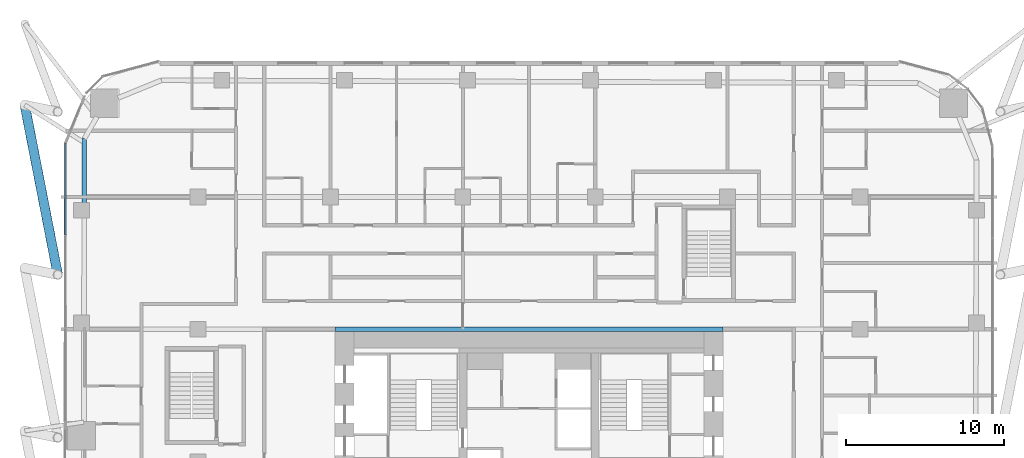
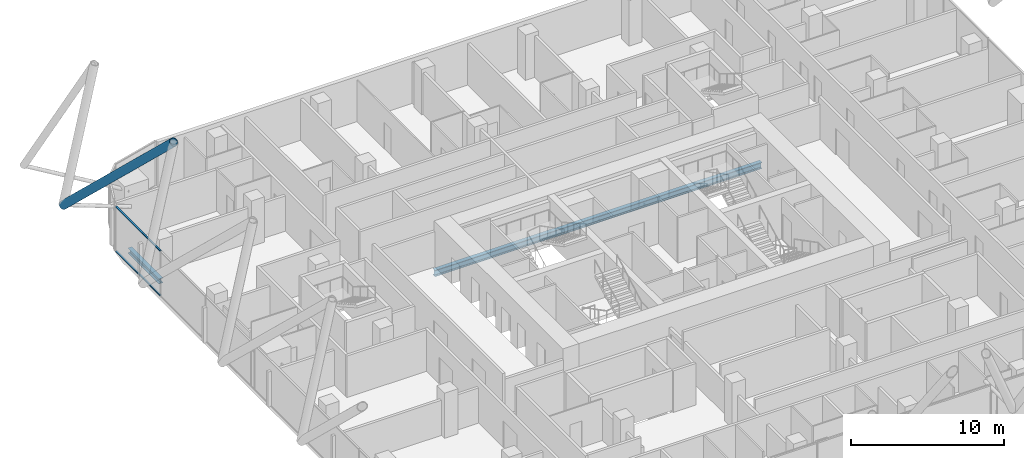
# One storey, part 10 of 36: 3 members, 2 beams, 1 element without a shape of its own.
"""IFC4 building model written with IfcOpenShell, lengths in metres."""

from ifc_helpers import new_model, si_unit, direction, frame, origin, origin_2d, place, context, subcontext, project, spatial, rectangle, hollow_circle, i_section, extrude, material, layer, layer_set, material_profile, profile_set, type_object, element, aggregate, save


model = new_model("IFC4")

# Units and contexts
model_context = context("Model", 3, precision=1e-05, world=origin(), true_north=direction((0.0, 1.0)))
body_context = subcontext(model_context, "Body", "Model", "MODEL_VIEW")
ifc_project = project(units=[si_unit("LENGTHUNIT", "METRE"), si_unit("AREAUNIT", "SQUARE_METRE"), si_unit("VOLUMEUNIT", "CUBIC_METRE"), si_unit("PLANEANGLEUNIT", "RADIAN"), si_unit("MASSUNIT", "GRAM", prefix="KILO")], contexts=[model_context])

# Site, building, storey
site_placement = place(None, origin())
site = spatial("IfcSite", under=ifc_project, at=site_placement, CompositionType="ELEMENT")
building_placement = place(site_placement, origin())
building = spatial("IfcBuilding", under=site, at=building_placement, Name="Marenta Gate Hotel Tower", CompositionType="ELEMENT")
storey_placement = place(building_placement, frame((0.0, 0.0, 83.300048828125)))
storey = spatial("IfcBuildingStorey", under=building, at=storey_placement, Name="L19", CompositionType="ELEMENT", Elevation=83.300048828125)

# Member
ifc_material_1 = material(Name="Steel S355J2W", Category="steel")
ifc_material_profile_1 = material_profile(ifc_material_1, hollow_circle(Radius=0.304931640625, WallThickness=0.0400390625, at=origin_2d()), Name="CHS 610x40")
ifc_profile_set_1 = profile_set([ifc_material_profile_1], Name="Steel S355J2W")
member_type_1 = type_object("IfcMemberType", Name="Diagrid diagonal T1 CHS 610x40", PredefinedType="BRACE", material=ifc_profile_set_1)
member_1_placement = place(storey_placement, frame((-32.0, 31.030029296875, 3.139892578125), z_axis=(0.136403114628, -0.69952185523, 0.701472283398), x_axis=(0.981514045442, 0.191390121478, 0.0)))
element("IfcMember", 1, at=member_1_placement, inside=storey, type_object=member_type_1, Name="L19-DG-33", PredefinedType="BRACE", context=body_context, shape_type="SweptSolid", body=[
    extrude(hollow_circle(Radius=0.304931640625, WallThickness=0.0400390625, at=origin_2d()), origin(), (0.0, 0.0, 1.0), 15.396240234375),
])

# Beams
ifc_material_2 = material(Name="Steel S355", Category="steel")
ifc_material_profile_2 = material_profile(ifc_material_2, i_section(OverallWidth=0.300048828125, OverallDepth=0.39990234375, WebThickness=0.013427734375, FlangeThickness=0.02392578125, FilletRadius=0.027099609375, at=origin_2d()), Name="HEB 400")
ifc_profile_set_2 = profile_set([ifc_material_profile_2], Name="Steel S355")
beam_type_1 = type_object("IfcBeamType", Name="Edge beam HEB 400", PredefinedType="SPANDREL", material=ifc_profile_set_2)
beam_1_placement = place(storey_placement, frame((-28.22705078125, 24.81640625, -0.4599609375), z_axis=(0.001377821732, 0.999999050803, 0.0), x_axis=(-0.999999050803, 0.001377821732, 0.0)))
element("IfcBeam", 2, at=beam_1_placement, inside=storey, type_object=beam_type_1, Name="L19-EB-10", PredefinedType="SPANDREL", context=body_context, shape_type="SweptSolid", body=[
    extrude(i_section(OverallWidth=0.300048828125, OverallDepth=0.39990234375, WebThickness=0.013427734375, FlangeThickness=0.02392578125, FilletRadius=0.027099609375, at=origin_2d()), origin(), (0.0, 0.0, 1.0), 4.075439453125),
])
ifc_material_3 = material(Name="Steel S355", Category="steel")
ifc_material_profile_3 = material_profile(ifc_material_3, i_section(OverallWidth=0.300048828125, OverallDepth=0.5, WebThickness=0.014404296875, FlangeThickness=0.028076171875, FilletRadius=0.027099609375, at=origin_2d()), Name="HEB 500")
ifc_profile_set_3 = profile_set([ifc_material_profile_3], Name="Steel S355")
beam_type_2 = type_object("IfcBeamType", Name="Girder HEB 500", PredefinedType="BEAM", material=ifc_profile_set_3)
beam_2_placement = place(storey_placement, frame((-12.300048828125, 16.800048828125, -0.510009765625), z_axis=(1.0, 0.0, 0.0), x_axis=(0.0, 1.0, 0.0)))
element("IfcBeam", 3, at=beam_2_placement, inside=storey, type_object=beam_type_2, Name="L19-GD-19", PredefinedType="BEAM", context=body_context, shape_type="SweptSolid", body=[
    extrude(i_section(OverallWidth=0.300048828125, OverallDepth=0.5, WebThickness=0.014404296875, FlangeThickness=0.028076171875, FilletRadius=0.027099609375, at=origin_2d()), origin(), (0.0, 0.0, 1.0), 24.60009765625),
])

# Curtain wall, members
ifc_material_4 = material(Name="Tinted insulated glass in bronze anodised frame", Category="glass")
ifc_layer = layer(ifc_material_4, 0.1201171875)
ifc_layer_set = layer_set([ifc_layer], Name="Tinted insulated glass in bronze anodised frame")
curtain_wall_type = type_object("IfcCurtainWallType", Name="Tower unitised curtain wall CW1", PredefinedType="NOTDEFINED", material=ifc_layer_set)
curtain_wall_placement = place(storey_placement, origin())
curtain_wall = element("IfcCurtainWall", 4, at=curtain_wall_placement, inside=storey, type_object=curtain_wall_type, Name="CW1 run G06", PredefinedType="NOTDEFINED")
ifc_material_5 = material(Name="Bronze anodised aluminium", Category="aluminium")
ifc_material_profile_4 = material_profile(ifc_material_5, rectangle(XDim=0.1201171875, YDim=0.06005859375, at=origin_2d()), Name="Transom CW1 60x120 bronze anodised aluminium")
ifc_profile_set_4 = profile_set([ifc_material_profile_4], Name="Bronze anodised aluminium")
member_type_2 = type_object("IfcMemberType", Name="Transom CW1 60x120 bronze anodised aluminium", PredefinedType="USERDEFINED", material=ifc_profile_set_4)
member_2_placement = place(storey_placement, frame((-29.412353515625, 28.606201171875, 0.030029296875), z_axis=(-0.001596301264, -0.99999872591, 0.0), x_axis=(0.99999872591, -0.001596301264, 0.0)))
member_2 = element("IfcMember", 5, at=member_2_placement, type_object=member_type_2, Name="CW1 transom 1.1", ObjectType="TRANSOM", PredefinedType="USERDEFINED", context=body_context, shape_type="SweptSolid", body=[
    extrude(rectangle(XDim=0.1201171875, YDim=0.06005859375, at=origin_2d()), origin(), (0.0, 0.0, 1.0), 5.811767578125),
])
member_3_placement = place(storey_placement, frame((-29.412353515625, 28.606201171875, 3.570068359375), z_axis=(-0.001596301264, -0.99999872591, 0.0), x_axis=(0.99999872591, -0.001596301264, 0.0)))
member_3 = element("IfcMember", 6, at=member_3_placement, type_object=member_type_2, Name="CW1 transom 1.2", ObjectType="TRANSOM", PredefinedType="USERDEFINED", context=body_context, shape_type="SweptSolid", body=[
    extrude(rectangle(XDim=0.1201171875, YDim=0.06005859375, at=origin_2d()), origin(), (0.0, 0.0, 1.0), 5.811767578125),
])
aggregate(curtain_wall, [member_2, member_3])

save(model, "model.ifc")
